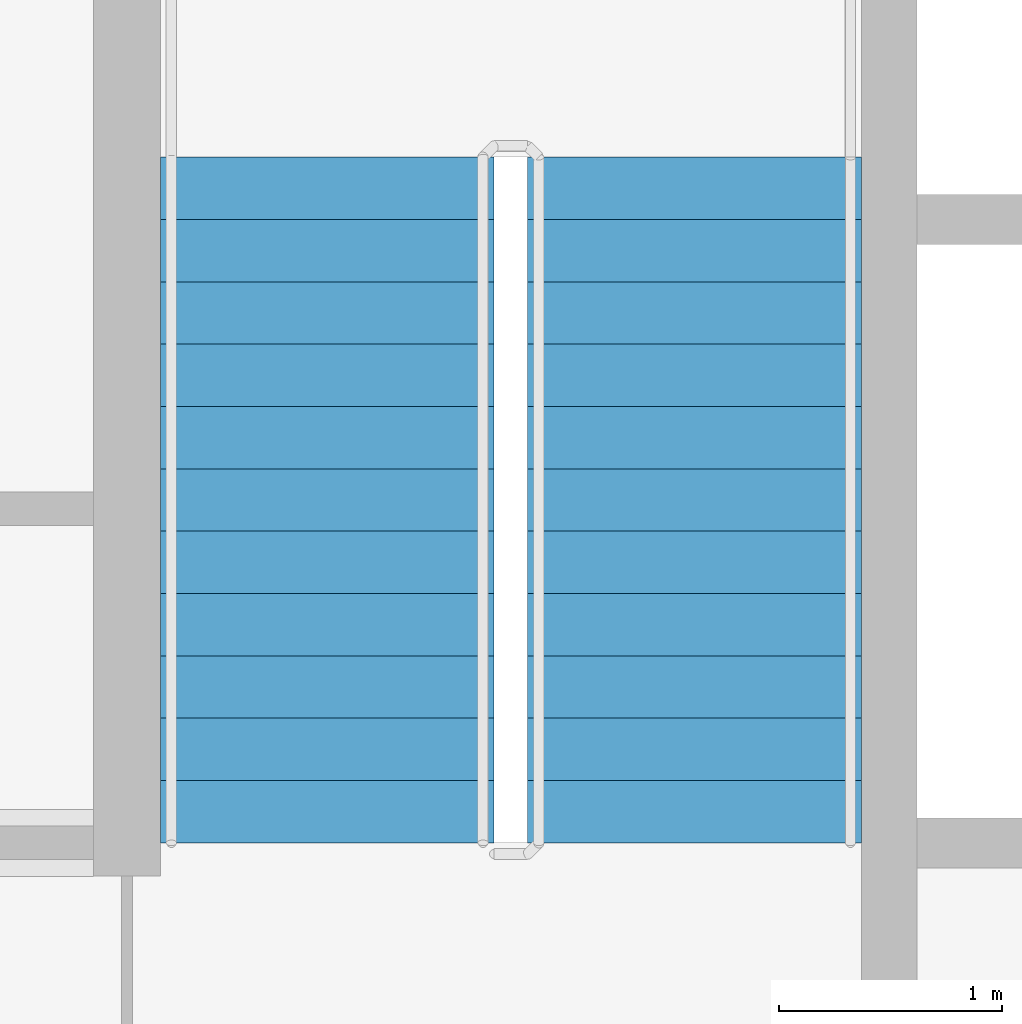
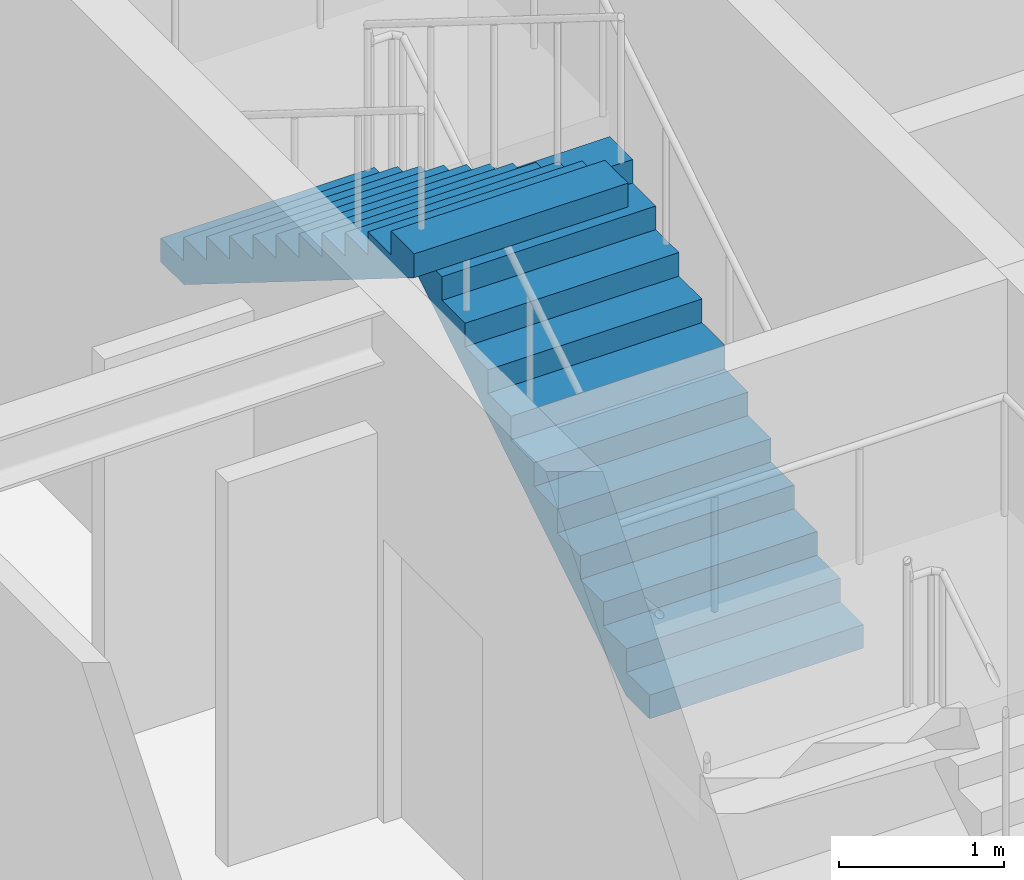
# One storey, part 20 of 22: 2 stair flights, 1 element without a shape of its own.
"""IFC4 building model written with IfcOpenShell, lengths in metres."""

from ifc_helpers import new_model, si_unit, direction, frame, origin, place, context, subcontext, project, spatial, polyline, outline, extrude, material, type_object, element, aggregate, save


model = new_model("IFC4")

# Units and contexts
model_context = context("Model", 3, precision=1e-05, world=origin(), true_north=direction((0.0, 1.0)))
body_context = subcontext(model_context, "Body", "Model", "MODEL_VIEW")
ifc_project = project(units=[si_unit("LENGTHUNIT", "METRE"), si_unit("AREAUNIT", "SQUARE_METRE"), si_unit("VOLUMEUNIT", "CUBIC_METRE"), si_unit("PLANEANGLEUNIT", "RADIAN"), si_unit("MASSUNIT", "GRAM", prefix="KILO")], contexts=[model_context])

# Site, building, storey
site_placement = place(None, origin())
site = spatial("IfcSite", under=ifc_project, at=site_placement, CompositionType="ELEMENT")
building_placement = place(site_placement, origin())
building = spatial("IfcBuilding", under=site, at=building_placement, Name="Welwitschia Terrace Campus", CompositionType="ELEMENT")
storey_placement = place(building_placement, frame((0.0, 0.0, 268.39990234375)))
storey = spatial("IfcBuildingStorey", under=building, at=storey_placement, Name="L59", CompositionType="ELEMENT", Elevation=268.39990234375)

# Stair, stair flights
ifc_material_1 = material(Name="Concrete C40/50", Category="concrete")
stair_type = type_object("IfcStairType", Name="Stair 24R 175 W1500", PredefinedType="HALF_TURN_STAIR", material=ifc_material_1)
stair_placement = place(storey_placement, origin())
stair = element("IfcStair", 1, at=stair_placement, inside=storey, type_object=stair_type, Name="L59 Exit stair S4", PredefinedType="HALF_TURN_STAIR")
ifc_material_2 = material(Name="Concrete C40/50", Category="concrete")
stair_flight_type = type_object("IfcStairFlightType", Name="Stair flight 24R 175 W1500", PredefinedType="STRAIGHT", material=ifc_material_2)
stair_flight_1_placement = place(storey_placement, frame((8.39990234375, 20.0, 0.0), z_axis=(0.0, 0.0, 1.0), x_axis=(0.0, 1.0, 0.0)))
stair_flight_1 = element("IfcStairFlight", 2, at=stair_flight_1_placement, type_object=stair_flight_type, Name="S4 flight 1", NumberOfRisers=12, NumberOfTreads=11, PredefinedType="STRAIGHT", RiserHeight=0.175, TreadLength=0.28, context=body_context, shape_type="SweptSolid", body=[
    extrude(outline(polyline([(0.0, 0.0), (0.0, 0.175048828125), (0.280029296875, 0.175048828125), (0.280029296875, 0.35009765625), (0.56005859375, 0.35009765625), (0.56005859375, 0.52490234375), (0.840087890625, 0.52490234375), (0.840087890625, 0.699951171875), (1.1201171875, 0.699951171875), (1.1201171875, 0.875), (1.39990234375, 0.875), (1.39990234375, 1.050048828125), (1.679931640625, 1.050048828125), (1.679931640625, 1.22509765625), (1.9599609375, 1.22509765625), (1.9599609375, 1.39990234375), (2.239990234375, 1.39990234375), (2.239990234375, 1.574951171875), (2.52001953125, 1.574951171875), (2.52001953125, 1.75), (2.800048828125, 1.75), (2.800048828125, 1.925048828125), (3.080078125, 1.925048828125), (3.080078125, 2.10009765625), (3.080078125, 1.748291015625), (0.28271484375, 0.0), (0.0, 0.0)])), frame((0.0, 0.75, 0.0), z_axis=(0.0, -1.0, 0.0), x_axis=(1.0, 0.0, 0.0)), (0.0, 0.0, 1.0), 1.5),
])
stair_flight_2_placement = place(storey_placement, frame((6.75, 23.080078125, 2.10009765625), z_axis=(0.0, 0.0, 1.0), x_axis=(0.0, -1.0, 0.0)))
stair_flight_2 = element("IfcStairFlight", 3, at=stair_flight_2_placement, type_object=stair_flight_type, Name="S4 flight 2", NumberOfRisers=12, NumberOfTreads=11, PredefinedType="STRAIGHT", RiserHeight=0.175, TreadLength=0.28, context=body_context, shape_type="SweptSolid", body=[
    extrude(outline(polyline([(0.0, 0.0), (0.0, 0.175048828125), (0.280029296875, 0.175048828125), (0.280029296875, 0.35009765625), (0.56005859375, 0.35009765625), (0.56005859375, 0.52490234375), (0.840087890625, 0.52490234375), (0.840087890625, 0.699951171875), (1.1201171875, 0.699951171875), (1.1201171875, 0.875), (1.39990234375, 0.875), (1.39990234375, 1.050048828125), (1.679931640625, 1.050048828125), (1.679931640625, 1.22509765625), (1.9599609375, 1.22509765625), (1.9599609375, 1.39990234375), (2.239990234375, 1.39990234375), (2.239990234375, 1.574951171875), (2.52001953125, 1.574951171875), (2.52001953125, 1.75), (2.800048828125, 1.75), (2.800048828125, 1.925048828125), (3.080078125, 1.925048828125), (3.080078125, 2.10009765625), (3.080078125, 1.748291015625), (0.28271484375, 0.0), (0.0, 0.0)])), frame((0.0, 0.75, 0.0), z_axis=(0.0, -1.0, 0.0), x_axis=(1.0, 0.0, 0.0)), (0.0, 0.0, 1.0), 1.5),
])
aggregate(stair, [stair_flight_1, stair_flight_2])

save(model, "model.ifc")
